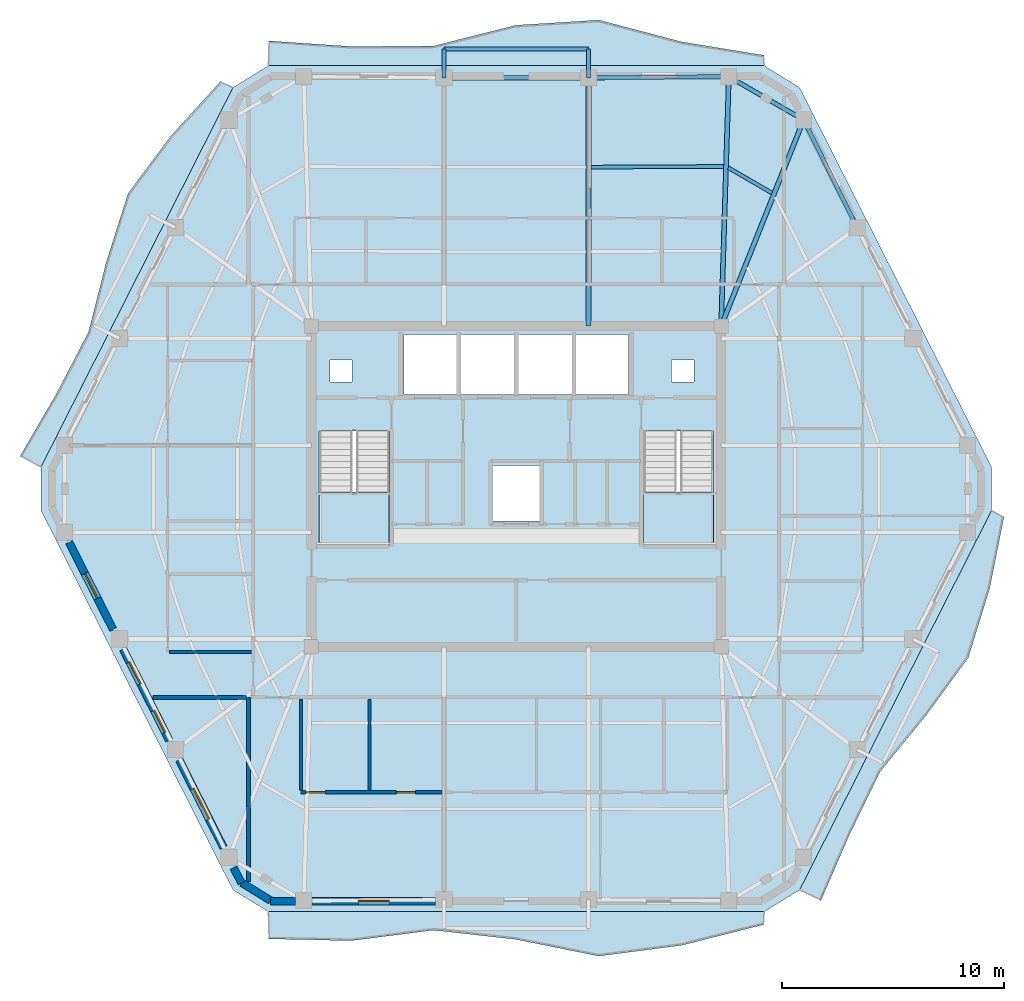
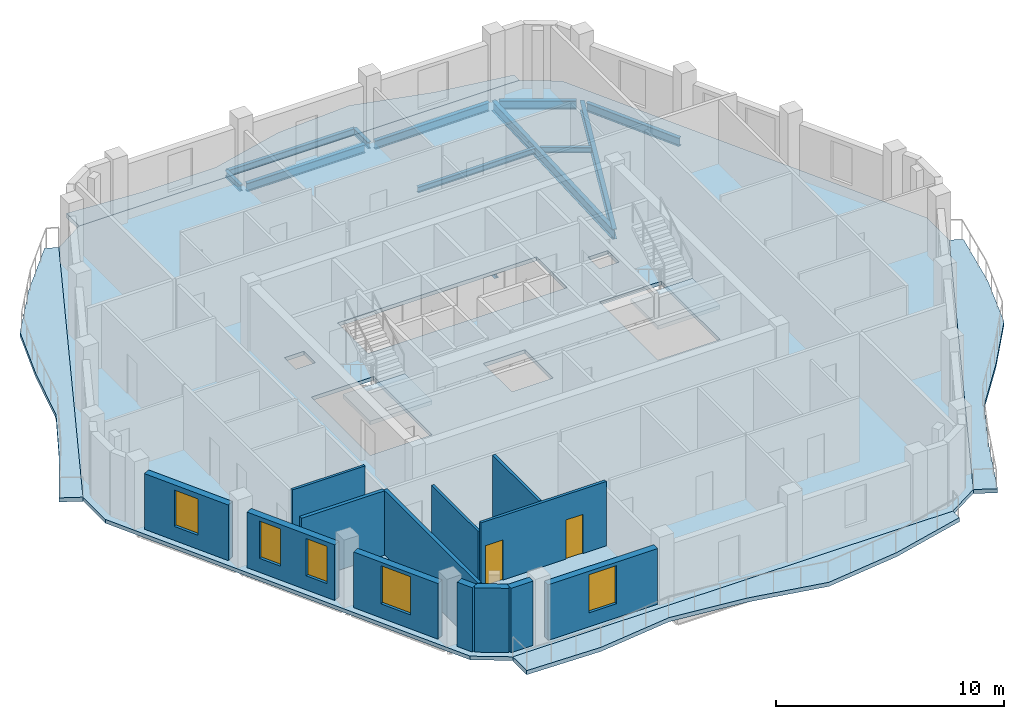
# One storey, part 3 of 11: 13 walls, 12 beams, 7 slabs, 5 windows, 2 doors, 7 openings, 2 elements without a shape of their own.
"""IFC4 building model written with IfcOpenShell, lengths in metres."""

from ifc_helpers import new_model, si_unit, direction, frame, frame_2d, origin, origin_2d, place, context, subcontext, project, spatial, polyline, rectangle, i_section, outline, extrude, material, layer, layer_set, material_profile, profile_set, type_object, element, fill, aggregate, save


model = new_model("IFC4")

# Units and contexts
model_context = context("Model", 3, precision=1e-05, world=origin(), true_north=direction((0.0, 1.0)))
body_context = subcontext(model_context, "Body", "Model", "MODEL_VIEW")
ifc_project = project(units=[si_unit("LENGTHUNIT", "METRE"), si_unit("AREAUNIT", "SQUARE_METRE"), si_unit("VOLUMEUNIT", "CUBIC_METRE"), si_unit("PLANEANGLEUNIT", "RADIAN"), si_unit("MASSUNIT", "GRAM", prefix="KILO")], contexts=[model_context])

# Site, building, storey
site_placement = place(None, origin())
site = spatial("IfcSite", under=ifc_project, at=site_placement, CompositionType="ELEMENT")
building_placement = place(site_placement, origin())
building = spatial("IfcBuilding", under=site, at=building_placement, Name="Cinnabar Lancet Tower", CompositionType="ELEMENT")
storey_placement = place(building_placement, frame((0.0, 0.0, 234.300048828125)))
storey = spatial("IfcBuildingStorey", under=building, at=storey_placement, Name="L62", CompositionType="ELEMENT", Elevation=234.300048828125)

# Beams
ifc_material_1 = material(Name="Structural steel S355", Category="steel")
ifc_material_profile_1 = material_profile(ifc_material_1, i_section(OverallWidth=0.1650390625, OverallDepth=0.303466796875, WebThickness=0.006103515625, FlangeThickness=0.01025390625, FilletRadius=0.0087890625, at=origin_2d()), Name="UKB 305x165x40")
ifc_profile_set_1 = profile_set([ifc_material_profile_1], Name="Structural steel S355")
beam_type_1 = type_object("IfcBeamType", Name="STR-BM-JST-305", PredefinedType="JOIST", material=ifc_profile_set_1)
beam_1_placement = place(storey_placement, frame((43.912109375, 39.1201171875, -0.35205078125), z_axis=(-0.865426285481, 0.501036270542, 0.0), x_axis=(-0.501036270542, -0.865426285481, 0.0)))
element("IfcBeam", 1, at=beam_1_placement, inside=storey, type_object=beam_type_1, Name="L62 Secondary Floor Joist 29", PredefinedType="JOIST", context=body_context, shape_type="SweptSolid", body=[
    extrude(i_section(OverallWidth=0.1650390625, OverallDepth=0.303466796875, WebThickness=0.006103515625, FlangeThickness=0.01025390625, FilletRadius=0.0087890625, at=origin_2d()), origin(), (0.0, 0.0, 1.0), 2.267333984375),
])
beam_2_placement = place(storey_placement, frame((41.741943359375, 40.31494140625, -0.35205078125), z_axis=(-0.999985712428, -0.005345553266, 0.0), x_axis=(0.005345553266, -0.999985712428, 0.0)))
element("IfcBeam", 2, at=beam_2_placement, inside=storey, type_object=beam_type_1, Name="L62 Secondary Floor Joist 30", PredefinedType="JOIST", context=body_context, shape_type="SweptSolid", body=[
    extrude(i_section(OverallWidth=0.1650390625, OverallDepth=0.303466796875, WebThickness=0.006103515625, FlangeThickness=0.01025390625, FilletRadius=0.0087890625, at=origin_2d()), origin(), (0.0, 0.0, 1.0), 5.98291015625),
])
ifc_material_2 = material(Name="Structural steel S355", Category="steel")
ifc_material_profile_2 = material_profile(ifc_material_2, i_section(OverallWidth=0.1904296875, OverallDepth=0.45703125, WebThickness=0.009033203125, FlangeThickness=0.014404296875, FilletRadius=0.01025390625, at=origin_2d()), Name="UKB 457x191x74")
ifc_profile_set_2 = profile_set([ifc_material_profile_2], Name="Structural steel S355")
beam_type_2 = type_object("IfcBeamType", Name="STR-BM-SPN-457", PredefinedType="SPANDREL", material=ifc_profile_set_2)
beam_3_placement = place(storey_placement, frame((47.637939453125, 37.778076171875, -0.428955078125), z_axis=(-0.444372599207, 0.895842058107, 0.0), x_axis=(-0.895842058107, -0.444372599207, 0.0)))
element("IfcBeam", 3, at=beam_3_placement, inside=storey, type_object=beam_type_2, Name="L62 Perimeter Spandrel 11", PredefinedType="SPANDREL", context=body_context, shape_type="SweptSolid", body=[
    extrude(i_section(OverallWidth=0.1904296875, OverallDepth=0.45703125, WebThickness=0.009033203125, FlangeThickness=0.014404296875, FilletRadius=0.01025390625, at=origin_2d()), origin(), (0.0, 0.0, 1.0), 4.91943359375),
])
beam_4_placement = place(storey_placement, frame((45.125, 42.533935546875, -0.428955078125), z_axis=(-0.865199693264, 0.501427453153, 0.0), x_axis=(-0.501427453153, -0.865199693264, 0.0)))
element("IfcBeam", 4, at=beam_4_placement, inside=storey, type_object=beam_type_2, Name="L62 Perimeter Spandrel 12", PredefinedType="SPANDREL", context=body_context, shape_type="SweptSolid", body=[
    extrude(i_section(OverallWidth=0.1904296875, OverallDepth=0.45703125, WebThickness=0.009033203125, FlangeThickness=0.014404296875, FilletRadius=0.01025390625, at=origin_2d()), origin(), (0.0, 0.0, 1.0), 3.39453125),
])
beam_5_placement = place(storey_placement, frame((41.721923828125, 44.35888671875, -0.428955078125), z_axis=(-0.999964782464, -0.008392486634, 0.0), x_axis=(0.008392486634, -0.999964782464, 0.0)))
element("IfcBeam", 5, at=beam_5_placement, inside=storey, type_object=beam_type_2, Name="L62 Perimeter Spandrel 13", PredefinedType="SPANDREL", context=body_context, shape_type="SweptSolid", body=[
    extrude(i_section(OverallWidth=0.1904296875, OverallDepth=0.45703125, WebThickness=0.009033203125, FlangeThickness=0.014404296875, FilletRadius=0.01025390625, at=origin_2d()), origin(), (0.0, 0.0, 1.0), 5.818115234375),
])
beam_6_placement = place(storey_placement, frame((35.404052734375, 44.30810546875, -0.428955078125), z_axis=(-1.0, 0.0, 0.0), x_axis=(0.0, -1.0, 0.0)))
element("IfcBeam", 6, at=beam_6_placement, inside=storey, type_object=beam_type_2, Name="L62 Perimeter Spandrel 14", PredefinedType="SPANDREL", context=body_context, shape_type="SweptSolid", body=[
    extrude(i_section(OverallWidth=0.1904296875, OverallDepth=0.45703125, WebThickness=0.009033203125, FlangeThickness=0.014404296875, FilletRadius=0.01025390625, at=origin_2d()), origin(), (0.0, 0.0, 1.0), 6.008056640625),
])
ifc_material_3 = material(Name="Structural steel S355", Category="steel")
ifc_material_profile_3 = material_profile(ifc_material_3, i_section(OverallWidth=0.209228515625, OverallDepth=0.533203125, WebThickness=0.010009765625, FlangeThickness=0.015625, FilletRadius=0.0126953125, at=origin_2d()), Name="UKB 533x210x92")
ifc_profile_set_3 = profile_set([ifc_material_profile_3], Name="Structural steel S355")
beam_type_3 = type_object("IfcBeamType", Name="STR-BM-UKB533-92", PredefinedType="BEAM", material=ifc_profile_set_3)
beam_7_placement = place(storey_placement, frame((45.341064453125, 42.408935546875, -0.467041015625), z_axis=(-0.371605341166, -0.928390796172, 0.0), x_axis=(0.928390796172, -0.371605341166, 0.0)))
element("IfcBeam", 7, at=beam_7_placement, inside=storey, type_object=beam_type_3, Name="L62 Primary Floor Girder 12", PredefinedType="BEAM", context=body_context, shape_type="SweptSolid", body=[
    extrude(i_section(OverallWidth=0.209228515625, OverallDepth=0.533203125, WebThickness=0.010009765625, FlangeThickness=0.015625, FilletRadius=0.0126953125, at=origin_2d()), origin(), (0.0, 0.0, 1.0), 10.0),
])
beam_8_placement = place(storey_placement, frame((41.971923828125, 44.361083984375, -0.467041015625), z_axis=(-0.030861159652, -0.999523680973, 0.0), x_axis=(0.999523680973, -0.030861159652, 0.0)))
element("IfcBeam", 8, at=beam_8_placement, inside=storey, type_object=beam_type_3, Name="L62 Primary Floor Girder 13", PredefinedType="BEAM", context=body_context, shape_type="SweptSolid", body=[
    extrude(i_section(OverallWidth=0.209228515625, OverallDepth=0.533203125, WebThickness=0.010009765625, FlangeThickness=0.015625, FilletRadius=0.0126953125, at=origin_2d()), origin(), (0.0, 0.0, 1.0), 11.241455078125),
])
beam_9_placement = place(storey_placement, frame((35.654052734375, 44.30810546875, -0.467041015625), z_axis=(0.0, -1.0, 0.0), x_axis=(1.0, 0.0, 0.0)))
element("IfcBeam", 9, at=beam_9_placement, inside=storey, type_object=beam_type_3, Name="L62 Primary Floor Girder 14", PredefinedType="BEAM", context=body_context, shape_type="SweptSolid", body=[
    extrude(i_section(OverallWidth=0.209228515625, OverallDepth=0.533203125, WebThickness=0.010009765625, FlangeThickness=0.015625, FilletRadius=0.0126953125, at=origin_2d()), origin(), (0.0, 0.0, 1.0), 11.18310546875),
])
ifc_material_4 = material(Name="Structural steel S355", Category="steel")
ifc_material_profile_4 = material_profile(ifc_material_4, i_section(OverallWidth=0.17138671875, OverallDepth=0.35498046875, WebThickness=0.00732421875, FlangeThickness=0.011474609375, FilletRadius=0.01025390625, at=origin_2d()), Name="UKB 356x171x51")
ifc_profile_set_4 = profile_set([ifc_material_profile_4], Name="Structural steel S355")
beam_type_4 = type_object("IfcBeamType", Name="STR-BM-WAV-OUT", PredefinedType="BEAM", material=ifc_profile_set_4)
for number, where, z_axis, x_axis, name in (
    (10, (35.654052734375, 44.30810546875, -0.39697265625), (0.0, 1.0, 0.0), (-1.0, 0.0, 0.0), "L62 Face 4 Balcony Outlooker A"),
    (11, (29.14599609375, 44.30810546875, -0.39697265625), (0.0, 1.0, 0.0), (-1.0, 0.0, 0.0), "L62 Face 4 Balcony Outlooker B"),
):
    element("IfcBeam", number, at=place(storey_placement, frame(where, z_axis=z_axis, x_axis=x_axis)), inside=storey, type_object=beam_type_4, Name=name, PredefinedType="BEAM", context=body_context, shape_type="SweptSolid", body=[
        extrude(i_section(OverallWidth=0.17138671875, OverallDepth=0.35498046875, WebThickness=0.00732421875, FlangeThickness=0.011474609375, FilletRadius=0.01025390625, at=origin_2d()), origin(), (0.0, 0.0, 1.0), 1.2998046875),
    ])
ifc_material_5 = material(Name="Structural steel S355", Category="steel")
ifc_material_profile_5 = material_profile(ifc_material_5, i_section(OverallWidth=0.17138671875, OverallDepth=0.35498046875, WebThickness=0.00732421875, FlangeThickness=0.011474609375, FilletRadius=0.01025390625, at=origin_2d()), Name="UKB 356x171x51")
ifc_profile_set_5 = profile_set([ifc_material_profile_5], Name="Structural steel S355")
beam_type_5 = type_object("IfcBeamType", Name="STR-BM-WAV-TRIM", PredefinedType="SPANDREL", material=ifc_profile_set_5)
beam_10_placement = place(storey_placement, frame((35.654052734375, 45.60791015625, -0.39697265625), z_axis=(-1.0, 0.0, 0.0), x_axis=(0.0, -1.0, 0.0)))
element("IfcBeam", 12, at=beam_10_placement, inside=storey, type_object=beam_type_5, Name="L62 Face 4 Balcony Edge Trimmer", PredefinedType="SPANDREL", context=body_context, shape_type="SweptSolid", body=[
    extrude(i_section(OverallWidth=0.17138671875, OverallDepth=0.35498046875, WebThickness=0.00732421875, FlangeThickness=0.011474609375, FilletRadius=0.01025390625, at=origin_2d()), origin(), (0.0, 0.0, 1.0), 6.508056640625),
])

# Stair, slab
ifc_material_6 = material(Name="Concrete C40/50", Category="concrete")
stair_type = type_object("IfcStairType", Name="ST-CORE", PredefinedType="HALF_TURN_STAIR", material=ifc_material_6)
stair_1_placement = place(storey_placement, origin())
stair_1 = element("IfcStair", 13, at=stair_1_placement, inside=storey, type_object=stair_type, Name="L62 ST-1", PredefinedType="HALF_TURN_STAIR")
ifc_material_7 = material(Name="Concrete C40/50", Category="concrete")
ifc_layer_1 = layer(ifc_material_7, 0.199951171875)
ifc_layer_set_1 = layer_set([ifc_layer_1], Name="Concrete C40/50")
slab_type_1 = type_object("IfcSlabType", Name="LANDING-CORE", PredefinedType="LANDING", material=ifc_layer_set_1)
slab_1_placement = place(storey_placement, frame((0.0, 0.0, 1.625)))
slab_1 = element("IfcSlab", 14, at=slab_1_placement, type_object=slab_type_1, Name="ST-1 landing 1", PredefinedType="LANDING", context=body_context, shape_type="SweptSolid", body=[
    extrude(outline(polyline([(23.52490234375, 25.64990234375), (23.52490234375, 23.25), (26.675048828125, 23.25), (26.675048828125, 25.64990234375), (23.52490234375, 25.64990234375)])), origin(), (0.0, 0.0, 1.0), 0.199951171875),
])
aggregate(stair_1, [slab_1])

stair_2_placement = place(storey_placement, origin())
stair_2 = element("IfcStair", 15, at=stair_2_placement, inside=storey, type_object=stair_type, Name="L62 ST-2", PredefinedType="HALF_TURN_STAIR")
slab_2_placement = place(storey_placement, frame((0.0, 0.0, 1.625)))
slab_2 = element("IfcSlab", 16, at=slab_2_placement, type_object=slab_type_1, Name="ST-2 landing 1", PredefinedType="LANDING", context=body_context, shape_type="SweptSolid", body=[
    extrude(outline(polyline([(38.125, 25.64990234375), (38.125, 23.25), (41.27490234375, 23.25), (41.27490234375, 25.64990234375), (38.125, 25.64990234375)])), origin(), (0.0, 0.0, 1.0), 0.199951171875),
])
aggregate(stair_2, [slab_2])

# Slabs
ifc_material_8 = material(Name="Concrete C40/50", Category="concrete")
ifc_layer_2 = layer(ifc_material_8, 0.199951171875)
ifc_layer_set_2 = layer_set([ifc_layer_2], Name="Concrete C40/50")
slab_type_2 = type_object("IfcSlabType", Name="STR-SLB-FLR-200", PredefinedType="FLOOR", material=ifc_layer_set_2)
slab_3_placement = place(storey_placement, frame((0.0, 0.0, -0.199951171875)))
element("IfcSlab", 17, at=slab_3_placement, inside=storey, type_object=slab_type_2, Name="L62 Structural Floor Slab", PredefinedType="FLOOR", context=body_context, shape_type="SweptSolid", body=[
    extrude(outline(polyline([(19.638916015625, 7.73193359375), (21.236083984375, 6.75), (43.56396484375, 6.75), (45.160888671875, 7.73193359375), (53.802978515625, 24.818115234375), (53.802978515625, 26.781982421875), (45.160888671875, 43.867919921875), (43.56396484375, 44.85009765625), (21.236083984375, 44.85009765625), (19.638916015625, 43.867919921875), (10.9970703125, 26.781982421875), (10.9970703125, 24.818115234375), (19.638916015625, 7.73193359375)]), holes=[polyline([(23.52490234375, 23.25), (26.675048828125, 23.25), (26.675048828125, 28.3994140625), (23.52490234375, 28.3994140625), (23.52490234375, 23.25)]), polyline([(38.125, 23.25), (41.27490234375, 23.25), (41.27490234375, 28.3994140625), (38.125, 28.3994140625), (38.125, 23.25)]), polyline([(27.35009765625, 30.050048828125), (37.449951171875, 30.050048828125), (37.449951171875, 32.75), (27.35009765625, 32.75), (27.35009765625, 30.050048828125)]), polyline([(31.35009765625, 24.35009765625), (33.449951171875, 24.35009765625), (33.449951171875, 26.85009765625), (31.35009765625, 26.85009765625), (31.35009765625, 24.35009765625)]), polyline([(24.0, 30.60009765625), (25.0, 30.60009765625), (25.0, 31.60009765625), (24.0, 31.60009765625), (24.0, 30.60009765625)]), polyline([(39.39990234375, 30.60009765625), (40.39990234375, 30.60009765625), (40.39990234375, 31.60009765625), (39.39990234375, 31.60009765625), (39.39990234375, 30.60009765625)])]), origin(), (0.0, 0.0, 1.0), 0.199951171875),
])
ifc_material_9 = material(Name="Concrete C45/55", Category="concrete")
ifc_layer_3 = layer(ifc_material_9, 0.219970703125)
ifc_layer_set_3 = layer_set([ifc_layer_3], Name="Concrete C45/55")
slab_type_3 = type_object("IfcSlabType", Name="STR-SLB-WAV-220", PredefinedType="FLOOR", material=ifc_layer_set_3)
slab_4_placement = place(storey_placement, frame((0.0, 0.0, -0.219970703125)))
element("IfcSlab", 18, at=slab_4_placement, inside=storey, type_object=slab_type_3, Name="L62 Face 1 Undulating Wave Balcony Slab", PredefinedType="FLOOR", context=body_context, shape_type="SweptSolid", body=[
    extrude(outline(polyline([(21.236083984375, 6.75), (21.236083984375, 5.527099609375), (24.95703125, 5.444091796875), (28.678955078125, 5.91796875), (32.39990234375, 5.5), (36.12109375, 4.75), (39.843017578125, 5.23388671875), (43.56396484375, 6.177978515625), (43.56396484375, 6.75), (21.236083984375, 6.75)])), origin(), (0.0, 0.0, 1.0), 0.219970703125),
])
slab_5_placement = place(storey_placement, frame((0.0, 0.0, -0.219970703125)))
element("IfcSlab", 19, at=slab_5_placement, inside=storey, type_object=slab_type_3, Name="L62 Face 2 Undulating Wave Balcony Slab", PredefinedType="FLOOR", context=body_context, shape_type="SweptSolid", body=[
    extrude(outline(polyline([(45.160888671875, 7.73193359375), (46.114990234375, 7.25), (47.386962890625, 10.181884765625), (48.781005859375, 13.052978515625), (50.84912109375, 15.583984375), (52.759033203125, 18.193115234375), (53.712890625, 21.287109375), (54.364990234375, 24.533935546875), (53.802978515625, 24.818115234375), (45.160888671875, 7.73193359375)])), origin(), (0.0, 0.0, 1.0), 0.219970703125),
])
slab_6_placement = place(storey_placement, frame((0.0, 0.0, -0.219970703125)))
element("IfcSlab", 20, at=slab_6_placement, inside=storey, type_object=slab_type_3, Name="L62 Face 4 Undulating Wave Balcony Slab", PredefinedType="FLOOR", context=body_context, shape_type="SweptSolid", body=[
    extrude(outline(polyline([(43.56396484375, 44.85009765625), (43.56396484375, 45.320068359375), (39.843017578125, 45.928955078125), (36.12109375, 46.909912109375), (32.39990234375, 46.677978515625), (28.678955078125, 45.741943359375), (24.95703125, 45.718994140625), (21.236083984375, 45.970947265625), (21.236083984375, 44.85009765625), (43.56396484375, 44.85009765625)])), origin(), (0.0, 0.0, 1.0), 0.219970703125),
])
slab_7_placement = place(storey_placement, frame((0.0, 0.0, -0.219970703125)))
element("IfcSlab", 21, at=slab_7_placement, inside=storey, type_object=slab_type_3, Name="L62 Face 5 Undulating Wave Balcony Slab", PredefinedType="FLOOR", context=body_context, shape_type="SweptSolid", body=[
    extrude(outline(polyline([(19.638916015625, 43.867919921875), (19.08203125, 44.14892578125), (16.85595703125, 41.699951171875), (14.91796875, 39.10400390625), (13.93896484375, 36.02294921875), (13.134033203125, 32.85302734375), (11.659912109375, 30.02294921875), (10.049072265625, 27.261962890625), (10.9970703125, 26.781982421875), (19.638916015625, 43.867919921875)])), origin(), (0.0, 0.0, 1.0), 0.219970703125),
])

# Walls
ifc_material_10 = material(Name="Fire-rated twin-frame acoustic drywall", Category="gypsum")
ifc_layer_4 = layer(ifc_material_10, 0.179931640625)
ifc_layer_set_4 = layer_set([ifc_layer_4], Name="Fire-rated twin-frame acoustic drywall")
wall_type_1 = type_object("IfcWallType", Name="ARC-WL-PARTY-180", PredefinedType="PARTITIONING", material=ifc_layer_set_4)
wall_1_placement = place(storey_placement, frame((20.35009765625, 8.118896484375, 0.0), z_axis=(0.0, 0.0, 1.0), x_axis=(0.0, 1.0, 0.0)))
element("IfcWall", 22, at=wall_1_placement, inside=storey, type_object=wall_type_1, Name="PW-L62-SPTY-204", PredefinedType="PARTITIONING", context=body_context, shape_type="SweptSolid", body=[
    extrude(rectangle(XDim=8.281005859375, YDim=0.179931640625, at=frame_2d((4.140625, 0.0))), origin(), (0.0, 0.0, 1.0), 3.449951171875),
])
wall_2_placement = place(storey_placement, frame((16.033935546875, 16.39990234375, 0.0), z_axis=(0.0, 0.0, 1.0), x_axis=(1.0, 0.0, 0.0)))
element("IfcWall", 23, at=wall_2_placement, inside=storey, type_object=wall_type_1, Name="PW-L62-WSB", PredefinedType="PARTITIONING", context=body_context, shape_type="SweptSolid", body=[
    extrude(rectangle(XDim=4.220947265625, YDim=0.179931640625, at=frame_2d((2.1103515625, 0.0))), origin(), (0.0, 0.0, 1.0), 3.449951171875),
])
ifc_material_11 = material(Name="Gypsum plasterboard stud partition", Category="gypsum")
ifc_layer_5 = layer(ifc_material_11, 0.125)
ifc_layer_set_5 = layer_set([ifc_layer_5], Name="Gypsum plasterboard stud partition")
wall_type_2 = type_object("IfcWallType", Name="ARC-WL-UNIT-125", PredefinedType="PARTITIONING", material=ifc_layer_set_5)
wall_3_placement = place(storey_placement, frame((22.699951171875, 12.235107421875, 0.0), z_axis=(0.0, 0.0, 1.0), x_axis=(0.0, 1.0, 0.0)))
element("IfcWall", 24, at=wall_3_placement, inside=storey, type_object=wall_type_2, Name="UW-L62-S01-FOYE", PredefinedType="PARTITIONING", context=body_context, shape_type="SweptSolid", body=[
    extrude(rectangle(XDim=4.079833984375, YDim=0.125, at=frame_2d((2.0400390625, 0.0))), origin(), (0.0, 0.0, 1.0), 2.906982421875),
])
wall_4_placement = place(storey_placement, frame((16.784912109375, 18.449951171875, 0.0), z_axis=(0.0, 0.0, 1.0), x_axis=(1.0, 0.0, 0.0)))
element("IfcWall", 25, at=wall_4_placement, inside=storey, type_object=wall_type_2, Name="UW-L62-W01-FOYN", PredefinedType="PARTITIONING", context=body_context, shape_type="SweptSolid", body=[
    extrude(rectangle(XDim=3.68017578125, YDim=0.125, at=frame_2d((1.840087890625, 0.0))), origin(), (0.0, 0.0, 1.0), 3.449951171875),
])

# Wall, openings, doors
ifc_material_12 = material(Name="Moisture-resistant cement-board plumbing wall", Category="masonry")
ifc_layer_6 = layer(ifc_material_12, 0.139892578125)
ifc_layer_set_6 = layer_set([ifc_layer_6], Name="Moisture-resistant cement-board plumbing wall")
wall_type_3 = type_object("IfcWallType", Name="ARC-WL-WET-140", PredefinedType="PLUMBINGWALL", material=ifc_layer_set_6)
wall_5_placement = place(storey_placement, frame((22.699951171875, 12.1298828125, 0.0), z_axis=(0.0, 0.0, 1.0), x_axis=(1.0, 0.0, 0.0)))
wall_5 = element("IfcWall", 26, at=wall_5_placement, inside=storey, type_object=wall_type_3, Name="UW-L62-S01-SPL", PredefinedType="PLUMBINGWALL", context=body_context, shape_type="SweptSolid", body=[
    extrude(rectangle(XDim=6.35107421875, YDim=0.139892578125, at=frame_2d((3.175537109375, 0.0))), origin(), (0.0, 0.0, 1.0), 3.449951171875),
])
opening_1_placement = place(wall_5_placement, frame((4.298095703125, 0.0, 0.0)))
opening_1 = element("IfcOpeningElement", 27, at=opening_1_placement, cuts=wall_5, Name="Opening BD-01", PredefinedType="OPENING", context=body_context, shape_type="SweptSolid", body=[
    extrude(rectangle(XDim=0.860107421875, YDim=2.10009765625, at=frame_2d((0.43017578125, 1.050048828125))), frame((0.0, 0.079833984375, 0.0), z_axis=(0.0, -1.0, 0.0), x_axis=(1.0, 0.0, 0.0)), (0.0, 0.0, 1.0), 0.159912109375),
])
opening_2_placement = place(wall_5_placement, frame((0.219970703125, 0.0, 0.0)))
opening_2 = element("IfcOpeningElement", 28, at=opening_2_placement, cuts=wall_5, Name="Opening RD-02", PredefinedType="OPENING", context=body_context, shape_type="SweptSolid", body=[
    extrude(rectangle(XDim=0.8798828125, YDim=2.14990234375, at=frame_2d((0.43994140625, 1.074951171875))), frame((0.0, 0.079833984375, 0.0), z_axis=(0.0, -1.0, 0.0), x_axis=(1.0, 0.0, 0.0)), (0.0, 0.0, 1.0), 0.159912109375),
])
ifc_material_13 = material(Name="Moisture-resistant timber bathroom door", Category="wood")
door_type_1 = type_object("IfcDoorType", Name="ARC-DR-BATH", OperationType="NOTDEFINED", PredefinedType="DOOR", material=ifc_material_13)
door_1_placement = place(opening_1_placement, origin())
door_1 = element("IfcDoor", 29, at=door_1_placement, inside=storey, type_object=door_type_1, Name="DR-L62-S01-BTH", OperationType="SINGLE_SWING_LEFT", OverallHeight=2.10009765625, OverallWidth=0.860107421875, PredefinedType="DOOR", context=body_context, shape_type="SweptSolid", body=[
    extrude(rectangle(XDim=0.860107421875, YDim=2.10009765625, at=frame_2d((0.43017578125, 1.050048828125))), frame((0.0, 0.02490234375, 0.0), z_axis=(0.0, -1.0, 0.0), x_axis=(1.0, 0.0, 0.0)), (0.0, 0.0, 1.0), 0.050048828125),
])
fill(opening_1, door_1)
ifc_material_14 = material(Name="Engineered timber study door", Category="wood")
door_type_2 = type_object("IfcDoorType", Name="ARC-DR-STUDY", OperationType="NOTDEFINED", PredefinedType="DOOR", material=ifc_material_14)
door_2_placement = place(opening_2_placement, origin())
door_2 = element("IfcDoor", 30, at=door_2_placement, inside=storey, type_object=door_type_2, Name="DR-L62-S01-KIT", OperationType="SINGLE_SWING_RIGHT", OverallHeight=2.14990234375, OverallWidth=0.8798828125, PredefinedType="DOOR", context=body_context, shape_type="SweptSolid", body=[
    extrude(rectangle(XDim=0.8798828125, YDim=2.14990234375, at=frame_2d((0.43994140625, 1.074951171875))), frame((0.0, 0.02490234375, 0.0), z_axis=(0.0, -1.0, 0.0), x_axis=(1.0, 0.0, 0.0)), (0.0, 0.0, 1.0), 0.050048828125),
])
fill(opening_2, door_2)

# Walls
wall_6_placement = place(storey_placement, frame((25.7939453125, 12.235107421875, 0.0), z_axis=(0.0, 0.0, 1.0), x_axis=(0.0, 1.0, 0.0)))
element("IfcWall", 31, at=wall_6_placement, inside=storey, type_object=wall_type_3, Name="UW-L62-S01-KDV", PredefinedType="PLUMBINGWALL", context=body_context, shape_type="SweptSolid", body=[
    extrude(rectangle(XDim=4.079833984375, YDim=0.139892578125, at=frame_2d((2.0400390625, 0.0))), origin(), (0.0, 0.0, 1.0), 3.449951171875),
])
ifc_material_15 = material(Name="Cinnabar red clay brick", Category="masonry")
ifc_layer_7 = layer(ifc_material_15, 0.340087890625)
ifc_layer_set_7 = layer_set([ifc_layer_7], Name="Cinnabar red clay brick")
wall_type_4 = type_object("IfcWallType", Name="ENV-WL-BRK-RED-340", PredefinedType="STANDARD", material=ifc_layer_set_7)
wall_7_placement = place(storey_placement, frame((20.047119140625, 8.044921875, 0.0), z_axis=(0.0, 0.0, 1.0), x_axis=(0.851680557619, -0.52406128246, 0.0)))
element("IfcWall", 32, at=wall_7_placement, inside=storey, type_object=wall_type_4, Name="L62 Chamfered Corner Brick Pier 1.1", PredefinedType="STANDARD", context=body_context, shape_type="SweptSolid", body=[
    extrude(rectangle(XDim=1.507568359375, YDim=0.340087890625, at=frame_2d((0.75390625, 0.0))), origin(), (0.0, 0.0, 1.0), 3.449951171875),
])
wall_8_placement = place(storey_placement, frame((21.325927734375, 7.22998046875, 0.0), z_axis=(0.0, 0.0, 1.0), x_axis=(1.0, 0.0, 0.0)))
element("IfcWall", 33, at=wall_8_placement, inside=storey, type_object=wall_type_4, Name="L62 Face 1 Masonry Bay Wall 1", PredefinedType="STANDARD", context=body_context, shape_type="SweptSolid", body=[
    extrude(rectangle(XDim=1.123046875, YDim=0.340087890625, at=frame_2d((0.5615234375, 0.0))), origin(), (0.0, 0.0, 1.0), 3.449951171875),
])

# Wall, opening, window
wall_9_placement = place(storey_placement, frame((23.20703125, 7.22998046875, 0.0), z_axis=(0.0, 0.0, 1.0), x_axis=(1.0, 0.0, 0.0)))
wall_9 = element("IfcWall", 34, at=wall_9_placement, inside=storey, type_object=wall_type_4, Name="L62 Face 1 Masonry Bay Wall 2", PredefinedType="STANDARD", context=body_context, shape_type="SweptSolid", body=[
    extrude(rectangle(XDim=5.56005859375, YDim=0.340087890625, at=frame_2d((2.780029296875, 0.0))), origin(), (0.0, 0.0, 1.0), 2.98291015625),
])
opening_3_placement = place(wall_9_placement, frame((2.080078125, 0.0, 0.75)))
opening_3 = element("IfcOpeningElement", 35, at=opening_3_placement, cuts=wall_9, Name="Opening WN-02", PredefinedType="OPENING", context=body_context, shape_type="SweptSolid", body=[
    extrude(rectangle(XDim=1.39990234375, YDim=2.050048828125, at=frame_2d((0.699951171875, 1.02490234375))), frame((0.0, 0.179931640625, 0.0), z_axis=(0.0, -1.0, 0.0), x_axis=(1.0, 0.0, 0.0)), (0.0, 0.0, 1.0), 0.360107421875),
])
ifc_material_16 = material(Name="Thermally broken bronze-anodized aluminium low-E double glazing", Category="aluminium")
window_type_1 = type_object("IfcWindowType", Name="ENV-WN-LANCET-1400", PartitioningType="SINGLE_PANEL", PredefinedType="WINDOW", material=ifc_material_16)
window_1_placement = place(opening_3_placement, origin())
window_1 = element("IfcWindow", 36, at=window_1_placement, inside=storey, type_object=window_type_1, Name="L62 Face 1 Gothic Lancet Window 2", OverallHeight=2.050048828125, OverallWidth=1.39990234375, PartitioningType="SINGLE_PANEL", PredefinedType="WINDOW", context=body_context, shape_type="SweptSolid", body=[
    extrude(rectangle(XDim=1.39990234375, YDim=2.050048828125, at=frame_2d((0.699951171875, 1.02490234375))), frame((0.0, 0.030029296875, 0.0), z_axis=(0.0, -1.0, 0.0), x_axis=(1.0, 0.0, 0.0)), (0.0, 0.0, 1.0), 0.06005859375),
])
fill(opening_3, window_1)

wall_10_placement = place(storey_placement, frame((12.257080078125, 23.388916015625, 0.0), z_axis=(0.0, 0.0, 1.0), x_axis=(0.45130817501, -0.892368158984, 0.0)))
wall_10 = element("IfcWall", 37, at=wall_10_placement, inside=storey, type_object=wall_type_4, Name="L62 Face 6 Masonry Bay Wall 2", PredefinedType="STANDARD", context=body_context, shape_type="SweptSolid", body=[
    extrude(rectangle(XDim=4.4072265625, YDim=0.340087890625, at=frame_2d((2.20361328125, 0.0))), origin(), (0.0, 0.0, 1.0), 2.98291015625),
])
opening_4_placement = place(wall_10_placement, frame((1.5791015625, 0.0, 0.75)))
opening_4 = element("IfcOpeningElement", 38, at=opening_4_placement, cuts=wall_10, Name="Opening WN-03", PredefinedType="OPENING", context=body_context, shape_type="SweptSolid", body=[
    extrude(rectangle(XDim=1.25, YDim=1.949951171875, at=frame_2d((0.625, 0.97509765625))), frame((0.0, 0.179931640625, 0.0), z_axis=(0.0, -1.0, 0.0), x_axis=(1.0, 0.0, 0.0)), (0.0, 0.0, 1.0), 0.360107421875),
])
ifc_material_17 = material(Name="Thermally broken bronze-anodized aluminium low-E double glazing", Category="aluminium")
window_type_2 = type_object("IfcWindowType", Name="ENV-WN-LANCET-1250", PartitioningType="SINGLE_PANEL", PredefinedType="WINDOW", material=ifc_material_17)
window_2_placement = place(opening_4_placement, origin())
window_2 = element("IfcWindow", 39, at=window_2_placement, inside=storey, type_object=window_type_2, Name="L62 Face 6 Gothic Lancet Window 2", OverallHeight=1.949951171875, OverallWidth=1.25, PartitioningType="SINGLE_PANEL", PredefinedType="WINDOW", context=body_context, shape_type="SweptSolid", body=[
    extrude(rectangle(XDim=1.25, YDim=1.949951171875, at=frame_2d((0.625, 0.97509765625))), frame((0.0, 0.030029296875, 0.0), z_axis=(0.0, -1.0, 0.0), x_axis=(1.0, 0.0, 0.0)), (0.0, 0.0, 1.0), 0.06005859375),
])
fill(opening_4, window_2)

# Wall, openings, windows
wall_11_placement = place(storey_placement, frame((14.69091796875, 18.576904296875, 0.0), z_axis=(0.0, 0.0, 1.0), x_axis=(0.451581819983, -0.892229712496, 0.0)))
wall_11 = element("IfcWall", 40, at=wall_11_placement, inside=storey, type_object=wall_type_4, Name="L62 Face 6 Masonry Bay Wall 3", PredefinedType="STANDARD", context=body_context, shape_type="SweptSolid", body=[
    extrude(rectangle(XDim=4.599609375, YDim=0.340087890625, at=frame_2d((2.2998046875, 0.0))), origin(), (0.0, 0.0, 1.0), 2.98291015625),
])
opening_5_placement = place(wall_11_placement, frame((0.64892578125, 0.0, 0.75)))
opening_5 = element("IfcOpeningElement", 41, at=opening_5_placement, cuts=wall_11, Name="Opening WN-04", PredefinedType="OPENING", context=body_context, shape_type="SweptSolid", body=[
    extrude(rectangle(XDim=1.10009765625, YDim=2.0, at=frame_2d((0.550048828125, 1.0))), frame((0.0, 0.179931640625, 0.0), z_axis=(0.0, -1.0, 0.0), x_axis=(1.0, 0.0, 0.0)), (0.0, 0.0, 1.0), 0.360107421875),
])
opening_6_placement = place(wall_11_placement, frame((3.10009765625, 0.0, 0.75)))
opening_6 = element("IfcOpeningElement", 42, at=opening_6_placement, cuts=wall_11, Name="Opening WN-04", PredefinedType="OPENING", context=body_context, shape_type="SweptSolid", body=[
    extrude(rectangle(XDim=1.10009765625, YDim=2.0, at=frame_2d((0.550048828125, 1.0))), frame((0.0, 0.179931640625, 0.0), z_axis=(0.0, -1.0, 0.0), x_axis=(1.0, 0.0, 0.0)), (0.0, 0.0, 1.0), 0.360107421875),
])
ifc_material_18 = material(Name="Thermally broken bronze-anodized aluminium tall lancet window", Category="aluminium")
window_type_3 = type_object("IfcWindowType", Name="ENV-WN-LANCET-1100", PartitioningType="SINGLE_PANEL", PredefinedType="WINDOW", material=ifc_material_18)
window_3_placement = place(opening_5_placement, origin())
window_3 = element("IfcWindow", 43, at=window_3_placement, inside=storey, type_object=window_type_3, Name="L62 Face 6 Gothic Lancet Window 3", OverallHeight=2.0, OverallWidth=1.10009765625, PartitioningType="SINGLE_PANEL", PredefinedType="WINDOW", context=body_context, shape_type="SweptSolid", body=[
    extrude(rectangle(XDim=1.10009765625, YDim=2.0, at=frame_2d((0.550048828125, 1.0))), frame((0.0, 0.030029296875, 0.0), z_axis=(0.0, -1.0, 0.0), x_axis=(1.0, 0.0, 0.0)), (0.0, 0.0, 1.0), 0.06005859375),
])
fill(opening_5, window_3)
window_4_placement = place(opening_6_placement, origin())
window_4 = element("IfcWindow", 44, at=window_4_placement, inside=storey, type_object=window_type_3, Name="L62 Split-Bay Gothic Lancet Window 218", OverallHeight=2.0, OverallWidth=1.10009765625, PartitioningType="SINGLE_PANEL", PredefinedType="WINDOW", context=body_context, shape_type="SweptSolid", body=[
    extrude(rectangle(XDim=1.10009765625, YDim=2.0, at=frame_2d((0.550048828125, 1.0))), frame((0.0, 0.030029296875, 0.0), z_axis=(0.0, -1.0, 0.0), x_axis=(1.0, 0.0, 0.0)), (0.0, 0.0, 1.0), 0.06005859375),
])
fill(opening_6, window_4)

# Wall, opening, window
wall_12_placement = place(storey_placement, frame((17.214111328125, 13.590087890625, 0.0), z_axis=(0.0, 0.0, 1.0), x_axis=(0.451440846853, -0.892301048858, 0.0)))
wall_12 = element("IfcWall", 45, at=wall_12_placement, inside=storey, type_object=wall_type_4, Name="L62 Face 6 Masonry Bay Wall 4", PredefinedType="STANDARD", context=body_context, shape_type="SweptSolid", body=[
    extrude(rectangle(XDim=4.43017578125, YDim=0.340087890625, at=frame_2d((2.215087890625, 0.0))), origin(), (0.0, 0.0, 1.0), 2.98291015625),
])
opening_7_placement = place(wall_12_placement, frame((1.43994140625, 0.0, 0.75)))
opening_7 = element("IfcOpeningElement", 46, at=opening_7_placement, cuts=wall_12, Name="Opening WN-01", PredefinedType="OPENING", context=body_context, shape_type="SweptSolid", body=[
    extrude(rectangle(XDim=1.550048828125, YDim=2.050048828125, at=frame_2d((0.77490234375, 1.02490234375))), frame((0.0, 0.179931640625, 0.0), z_axis=(0.0, -1.0, 0.0), x_axis=(1.0, 0.0, 0.0)), (0.0, 0.0, 1.0), 0.360107421875),
])
ifc_material_19 = material(Name="Thermally broken bronze-anodized aluminium low-E double glazing", Category="aluminium")
window_type_4 = type_object("IfcWindowType", Name="ENV-WN-LANCET-1550", PartitioningType="SINGLE_PANEL", PredefinedType="WINDOW", material=ifc_material_19)
window_5_placement = place(opening_7_placement, origin())
window_5 = element("IfcWindow", 47, at=window_5_placement, inside=storey, type_object=window_type_4, Name="L62 Face 6 Gothic Lancet Window 4", OverallHeight=2.050048828125, OverallWidth=1.550048828125, PartitioningType="SINGLE_PANEL", PredefinedType="WINDOW", context=body_context, shape_type="SweptSolid", body=[
    extrude(rectangle(XDim=1.550048828125, YDim=2.050048828125, at=frame_2d((0.77490234375, 1.02490234375))), frame((0.0, 0.030029296875, 0.0), z_axis=(0.0, -1.0, 0.0), x_axis=(1.0, 0.0, 0.0)), (0.0, 0.0, 1.0), 0.06005859375),
])
fill(opening_7, window_5)

# Wall
wall_13_placement = place(storey_placement, frame((19.669921875, 8.735107421875, 0.0), z_axis=(0.0, 0.0, 1.0), x_axis=(0.451404919072, -0.89231922485, 0.0)))
element("IfcWall", 48, at=wall_13_placement, inside=storey, type_object=wall_type_4, Name="L62 Face 6 Masonry Bay Wall 5", PredefinedType="STANDARD", context=body_context, shape_type="SweptSolid", body=[
    extrude(rectangle(XDim=0.791259765625, YDim=0.340087890625, at=frame_2d((0.3955078125, 0.0))), origin(), (0.0, 0.0, 1.0), 3.449951171875),
])

save(model, "model.ifc")
